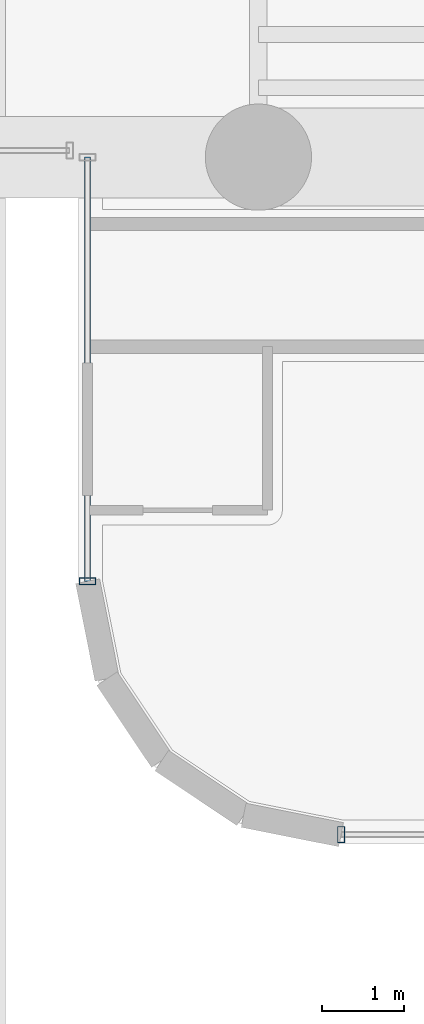
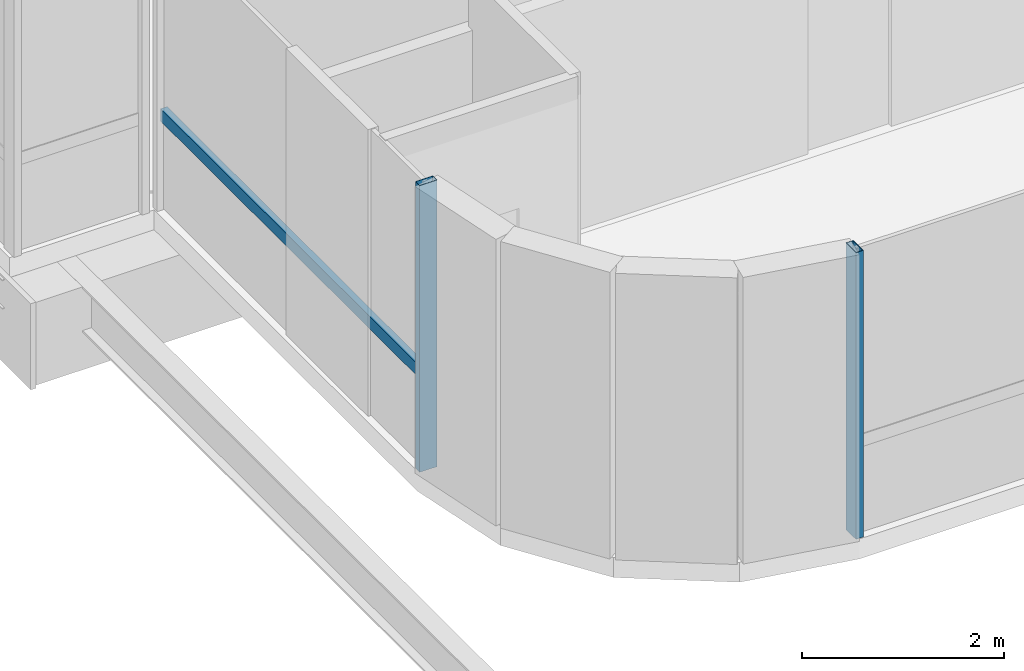
# One storey, part 2 of 50: 3 members, 2 elements without a shape of their own.
"""IFC4 building model written with IfcOpenShell, lengths in metres."""

from ifc_helpers import new_model, si_unit, direction, frame, origin, origin_2d, place, context, subcontext, project, spatial, hollow_rectangle, extrude, source, transform, mapped, material, material_profile, profile_set, type_object, element, aggregate, save


model = new_model("IFC4")

# Units and contexts
model_context = context("Model", 3, precision=1e-05, world=origin(), true_north=direction((0.0, 1.0)))
body_context = subcontext(model_context, "Body", "Model", "MODEL_VIEW")
ifc_project = project(units=[si_unit("LENGTHUNIT", "METRE"), si_unit("AREAUNIT", "SQUARE_METRE"), si_unit("VOLUMEUNIT", "CUBIC_METRE"), si_unit("PLANEANGLEUNIT", "RADIAN"), si_unit("MASSUNIT", "GRAM", prefix="KILO")], contexts=[model_context])

# Site, building, storey
site_placement = place(None, origin())
site = spatial("IfcSite", under=ifc_project, at=site_placement, CompositionType="ELEMENT")
building_placement = place(site_placement, origin())
building = spatial("IfcBuilding", under=site, at=building_placement, Name="Valdorenza Pilgrim Sanctuary Tower", CompositionType="ELEMENT")
storey_placement = place(building_placement, frame((0.0, 0.0, 26.0)))
storey = spatial("IfcBuildingStorey", under=building, at=storey_placement, Name="L05", CompositionType="ELEMENT", Elevation=26.0)

# Curtain wall, member
ifc_material_1 = material(Name="Curtain-wall IGU glazing", Category="glass")
curtain_wall_type = type_object("IfcCurtainWallType", Name="CW-SYS-02", PredefinedType="NOTDEFINED", material=ifc_material_1)
curtain_wall_1_placement = place(storey_placement, origin())
curtain_wall_1 = element("IfcCurtainWall", 1, at=curtain_wall_1_placement, inside=storey, type_object=curtain_wall_type, Name="L05 Curtain Wall CW-L05-1-1S1", PredefinedType="NOTDEFINED")
ifc_material_2 = material(Name="Anodised aluminium AW-6060", Category="aluminium")
ifc_material_profile_1 = material_profile(ifc_material_2, hollow_rectangle(XDim=0.0849609375, YDim=0.199951171875, WallThickness=0.0048828125, at=origin_2d()), Name="ALU-M 200x85x5")
ifc_profile_set_1 = profile_set([ifc_material_profile_1], Name="Anodised aluminium AW-6060")
member_type_1 = type_object("IfcMemberType", Name="CW-MUL-02", PredefinedType="MULLION", material=ifc_profile_set_1)
shared_shape_1 = source(origin(), body_context, "Body", "SweptSolid", [
    extrude(hollow_rectangle(XDim=0.0849609375, YDim=0.199951171875, WallThickness=0.0048828125, at=origin_2d()), origin(), (0.0, 0.0, 1.0), 3.4599609375),
])
member_1_placement = place(storey_placement, frame((-31.889892578125, -15.789306640625, 0.0), z_axis=(0.0, 0.0, 1.0), x_axis=(0.0, 1.0, 0.0)))
member_1 = element("IfcMember", 2, at=member_1_placement, type_object=member_type_1, Name="CW-L05-1-1S1 Mullion 1", PredefinedType="MULLION", context=body_context, shape_type="MappedRepresentation", body=[
    mapped(shared_shape_1, transform((0.0, 0.0, 0.0), x_axis=(1.0, 0.0, 0.0), y_axis=(0.0, 1.0, 0.0), z_axis=(0.0, 0.0, 1.0), scale=1.0)),
])

curtain_wall_2_placement = place(storey_placement, origin())
curtain_wall_2 = element("IfcCurtainWall", 3, at=curtain_wall_2_placement, inside=storey, type_object=curtain_wall_type, Name="L05 Curtain Wall CW-L05-1-46", PredefinedType="NOTDEFINED")
member_2_placement = place(storey_placement, frame((-28.789306640625, -18.889892578125, 0.0), z_axis=(0.0, 0.0, 1.0), x_axis=(-1.0, 0.0, 0.0)))
member_2 = element("IfcMember", 4, at=member_2_placement, type_object=member_type_1, Name="CW-L05-1-46 Mullion 4", PredefinedType="MULLION", context=body_context, shape_type="MappedRepresentation", body=[
    mapped(shared_shape_1, transform((0.0, 0.0, 0.0), x_axis=(1.0, 0.0, 0.0), y_axis=(0.0, 1.0, 0.0), z_axis=(0.0, 0.0, 1.0), scale=1.0)),
])
aggregate(curtain_wall_2, [member_2])

# Member
ifc_material_profile_2 = material_profile(ifc_material_2, hollow_rectangle(XDim=0.074951171875, YDim=0.14990234375, WallThickness=0.00390625, at=origin_2d()), Name="ALU-T 150x75x4")
ifc_profile_set_2 = profile_set([ifc_material_profile_2], Name="Anodised aluminium AW-6060")
member_type_2 = type_object("IfcMemberType", Name="CW-TRN-02", PredefinedType="USERDEFINED", material=ifc_profile_set_2)
shared_shape_2 = source(origin(), body_context, "Body", "SweptSolid", [
    extrude(hollow_rectangle(XDim=0.074951171875, YDim=0.14990234375, WallThickness=0.00390625, at=origin_2d()), origin(), (0.0, 0.0, 1.0), 5.189208984375),
])
member_3_placement = place(storey_placement, frame((-31.889892578125, -15.789306640625, 1.1201171875), z_axis=(0.0, 1.0, 0.0), x_axis=(-1.0, 0.0, 0.0)))
member_3 = element("IfcMember", 5, at=member_3_placement, type_object=member_type_2, Name="CW-L05-1-1S1 Transom 1", ObjectType="TRANSOM", PredefinedType="USERDEFINED", context=body_context, shape_type="MappedRepresentation", body=[
    mapped(shared_shape_2, transform((0.0, 0.0, 0.0), x_axis=(1.0, 0.0, 0.0), y_axis=(0.0, 1.0, 0.0), z_axis=(0.0, 0.0, 1.0), scale=1.0)),
])

aggregate(curtain_wall_1, [member_1, member_3])

save(model, "model.ifc")
